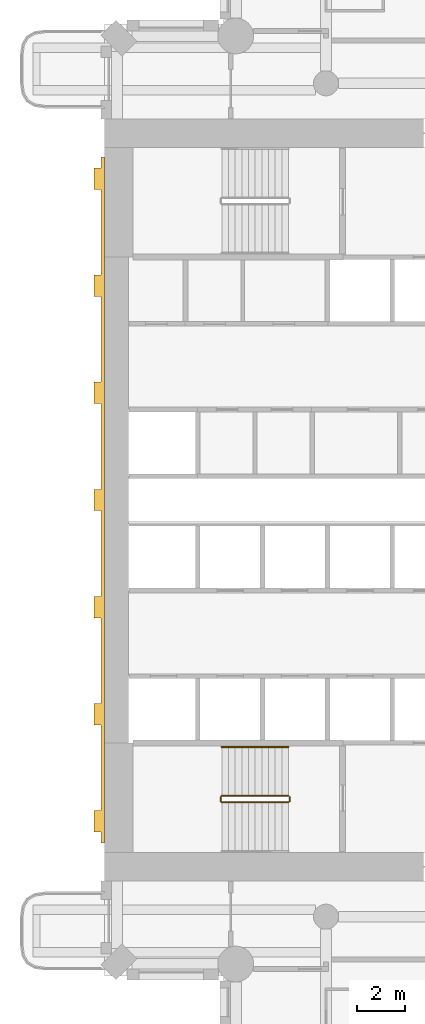
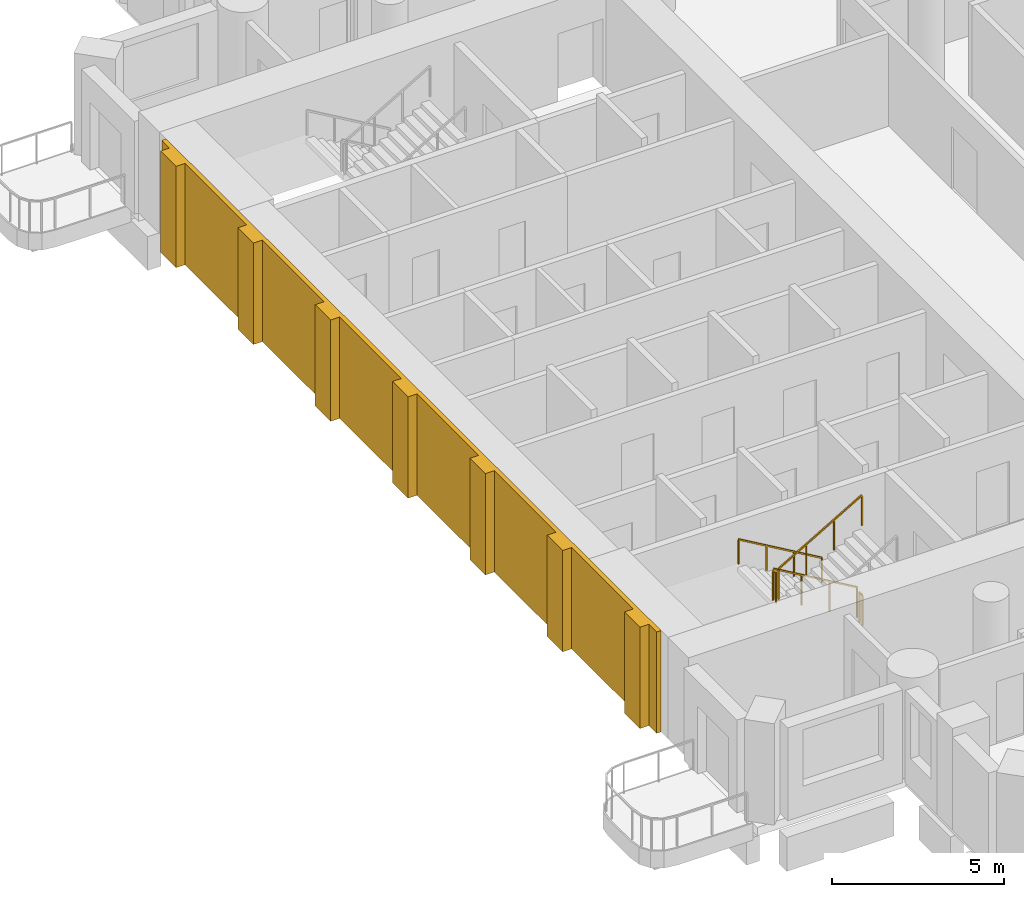
# One storey, part 14 of 20: 5 railings, 1 covering.
"""IFC4 building model written with IfcOpenShell, lengths in metres."""

from ifc_helpers import new_model, si_unit, direction, frame, origin, origin_2d, place, context, subcontext, project, spatial, polyline, rectangle, outline, extrude, material, layer, layer_set, type_object, element, save


model = new_model("IFC4")

# Units and contexts
model_context = context("Model", 3, precision=1e-05, world=origin(), true_north=direction((0.0, 1.0)))
body_context = subcontext(model_context, "Body", "Model", "MODEL_VIEW")
ifc_project = project(units=[si_unit("LENGTHUNIT", "METRE"), si_unit("AREAUNIT", "SQUARE_METRE"), si_unit("VOLUMEUNIT", "CUBIC_METRE"), si_unit("PLANEANGLEUNIT", "RADIAN"), si_unit("MASSUNIT", "GRAM", prefix="KILO")], contexts=[model_context])

# Site, building, storey
site_placement = place(None, origin())
site = spatial("IfcSite", under=ifc_project, at=site_placement, CompositionType="ELEMENT")
building_placement = place(site_placement, origin())
building = spatial("IfcBuilding", under=site, at=building_placement, Name="Cypress Arch Tower", CompositionType="ELEMENT")
storey_placement = place(building_placement, frame((0.0, 0.0, 123.89990234375)))
storey = spatial("IfcBuildingStorey", under=building, at=storey_placement, Name="L26", CompositionType="ELEMENT", Elevation=123.89990234375)

# Railings
ifc_material_1 = material(Name="Black powder-coated steel square bar 48 mm", Category="steel")
railing_type_1 = type_object("IfcRailingType", Name="Stair handrail HR1", PredefinedType="HANDRAIL", material=ifc_material_1)
railing_1_placement = place(storey_placement, frame((-22.27490234375, -10.375, 0.163818359375)))
element("IfcRailing", 1, at=railing_1_placement, inside=storey, type_object=railing_type_1, Name="L26 A stair handrail 1", PredefinedType="HANDRAIL", context=body_context, shape_type="SweptSolid", body=[
    extrude(rectangle(XDim=0.048095703125, YDim=0.048095703125, at=origin_2d()), frame((0.0, 0.0, 0.8759765625), z_axis=(-0.863393664356, 0.0, 0.504530851732), x_axis=(0.0, -1.0, 0.0)), (0.0, 0.0, 1.0), 3.2431640625),
    extrude(rectangle(XDim=0.0419921875, YDim=0.0419921875, at=origin_2d()), origin(), (0.0, 0.0, 1.0), 0.851806640625),
    extrude(rectangle(XDim=0.0419921875, YDim=0.0419921875, at=origin_2d()), frame((-0.933349609375, 0.0, 0.54541015625)), (0.0, 0.0, 1.0), 0.851806640625),
    extrude(rectangle(XDim=0.0419921875, YDim=0.0419921875, at=origin_2d()), frame((-1.86669921875, 0.0, 1.0908203125)), (0.0, 0.0, 1.0), 0.851806640625),
    extrude(rectangle(XDim=0.0419921875, YDim=0.0419921875, at=origin_2d()), frame((-2.800048828125, 0.0, 1.63623046875)), (0.0, 0.0, 1.0), 0.851806640625),
])
ifc_material_2 = material(Name="Black powder-coated steel balusters", Category="steel")
railing_type_2 = type_object("IfcRailingType", Name="Stair well guard G1", PredefinedType="GUARDRAIL", material=ifc_material_2)
railing_2_placement = place(storey_placement, frame((-22.27490234375, -12.425048828125, 0.163818359375)))
element("IfcRailing", 2, at=railing_2_placement, inside=storey, type_object=railing_type_2, Name="L26 A stair guard 1", PredefinedType="GUARDRAIL", context=body_context, shape_type="SweptSolid", body=[
    extrude(rectangle(XDim=0.048095703125, YDim=0.048095703125, at=origin_2d()), frame((0.0, 0.0, 1.076171875), z_axis=(-0.863393664356, 0.0, 0.504530851732), x_axis=(0.0, -1.0, 0.0)), (0.0, 0.0, 1.0), 3.2431640625),
    extrude(rectangle(XDim=0.0419921875, YDim=0.0419921875, at=origin_2d()), origin(), (0.0, 0.0, 1.0), 1.052001953125),
    extrude(rectangle(XDim=0.0419921875, YDim=0.0419921875, at=origin_2d()), frame((-0.933349609375, 0.0, 0.54541015625)), (0.0, 0.0, 1.0), 1.052001953125),
    extrude(rectangle(XDim=0.0419921875, YDim=0.0419921875, at=origin_2d()), frame((-1.86669921875, 0.0, 1.0908203125)), (0.0, 0.0, 1.0), 1.052001953125),
    extrude(rectangle(XDim=0.0419921875, YDim=0.0419921875, at=origin_2d()), frame((-2.800048828125, 0.0, 1.63623046875)), (0.0, 0.0, 1.0), 1.052001953125),
])
railing_3_placement = place(storey_placement, frame((-25.125, -12.47509765625, 1.800048828125)))
element("IfcRailing", 3, at=railing_3_placement, inside=storey, type_object=railing_type_2, Name="L26 A stair guard 2", PredefinedType="GUARDRAIL", context=body_context, shape_type="SweptSolid", body=[
    extrude(rectangle(XDim=0.048095703125, YDim=0.048095703125, at=origin_2d()), frame((0.0, 0.0, 1.076171875), z_axis=(0.0, -1.0, 0.0), x_axis=(1.0, 0.0, 0.0)), (0.0, 0.0, 1.0), 0.1748046875),
    extrude(rectangle(XDim=0.0419921875, YDim=0.0419921875, at=origin_2d()), origin(), (0.0, 0.0, 1.0), 1.052001953125),
    extrude(rectangle(XDim=0.0419921875, YDim=0.0419921875, at=origin_2d()), frame((0.0, -0.1748046875, 0.0)), (0.0, 0.0, 1.0), 1.052001953125),
])
railing_4_placement = place(storey_placement, frame((-25.074951171875, -12.699951171875, 1.963623046875)))
element("IfcRailing", 4, at=railing_4_placement, inside=storey, type_object=railing_type_2, Name="L26 A stair guard 3", PredefinedType="GUARDRAIL", context=body_context, shape_type="SweptSolid", body=[
    extrude(rectangle(XDim=0.048095703125, YDim=0.048095703125, at=origin_2d()), frame((0.0, 0.0, 1.076171875), z_axis=(0.863360870873, 0.0, 0.504586966384), x_axis=(0.0, 1.0, 0.0)), (0.0, 0.0, 1.0), 3.2431640625),
    extrude(rectangle(XDim=0.0419921875, YDim=0.0419921875, at=origin_2d()), origin(), (0.0, 0.0, 1.0), 1.052001953125),
    extrude(rectangle(XDim=0.0419921875, YDim=0.0419921875, at=origin_2d()), frame((0.933349609375, 0.0, 0.54541015625)), (0.0, 0.0, 1.0), 1.052001953125),
    extrude(rectangle(XDim=0.0419921875, YDim=0.0419921875, at=origin_2d()), frame((1.86669921875, 0.0, 1.091064453125)), (0.0, 0.0, 1.0), 1.052001953125),
    extrude(rectangle(XDim=0.0419921875, YDim=0.0419921875, at=origin_2d()), frame((2.800048828125, 0.0, 1.636474609375)), (0.0, 0.0, 1.0), 1.052001953125),
])
railing_5_placement = place(storey_placement, frame((-22.22509765625, -12.47509765625, 0.0)))
element("IfcRailing", 5, at=railing_5_placement, inside=storey, type_object=railing_type_2, Name="L26 A stair guard 4", PredefinedType="GUARDRAIL", context=body_context, shape_type="SweptSolid", body=[
    extrude(rectangle(XDim=0.048095703125, YDim=0.048095703125, at=origin_2d()), frame((0.0, 0.0, 1.076171875), z_axis=(0.0, -1.0, 0.0), x_axis=(1.0, 0.0, 0.0)), (0.0, 0.0, 1.0), 0.1748046875),
    extrude(rectangle(XDim=0.0419921875, YDim=0.0419921875, at=origin_2d()), origin(), (0.0, 0.0, 1.0), 1.052001953125),
    extrude(rectangle(XDim=0.0419921875, YDim=0.0419921875, at=origin_2d()), frame((0.0, -0.1748046875, 0.0)), (0.0, 0.0, 1.0), 1.052001953125),
])

# Covering
ifc_material_3 = material(Name="Brick (red buff blend)", Category="masonry")
ifc_layer = layer(ifc_material_3, 0.449951171875)
ifc_layer_set = layer_set([ifc_layer], Name="West face brick piers WP450")
covering_type = type_object("IfcCoveringType", Name="West face brick piers WP450", PredefinedType="CLADDING", material=ifc_layer_set)
covering_placement = place(storey_placement, origin())
element("IfcCovering", 6, at=covering_placement, inside=storey, type_object=covering_type, Name="West face brick piers L26", PredefinedType="CLADDING", context=body_context, shape_type="SweptSolid", body=[
    extrude(outline(polyline([(-30.14990234375, -13.050048828125), (-30.14990234375, -9.449951171875), (-30.449951171875, -9.449951171875), (-30.449951171875, -8.550048828125), (-30.14990234375, -8.550048828125), (-30.14990234375, -4.949951171875), (-30.449951171875, -4.949951171875), (-30.449951171875, -4.050048828125), (-30.14990234375, -4.050048828125), (-30.14990234375, -0.449951171875), (-30.449951171875, -0.449951171875), (-30.449951171875, 0.449951171875), (-30.14990234375, 0.449951171875), (-30.14990234375, 4.050048828125), (-30.449951171875, 4.050048828125), (-30.449951171875, 4.949951171875), (-30.14990234375, 4.949951171875), (-30.14990234375, 8.550048828125), (-30.449951171875, 8.550048828125), (-30.449951171875, 9.449951171875), (-30.14990234375, 9.449951171875), (-30.14990234375, 13.050048828125), (-30.449951171875, 13.050048828125), (-30.449951171875, 13.949951171875), (-30.14990234375, 13.949951171875), (-30.14990234375, 14.39990234375), (-30.0, 14.39990234375), (-30.0, -14.39990234375), (-30.14990234375, -14.39990234375), (-30.14990234375, -13.949951171875), (-30.449951171875, -13.949951171875), (-30.449951171875, -13.050048828125), (-30.14990234375, -13.050048828125)])), origin(), (0.0, 0.0, 1.0), 3.60009765625),
])

save(model, "model.ifc")
